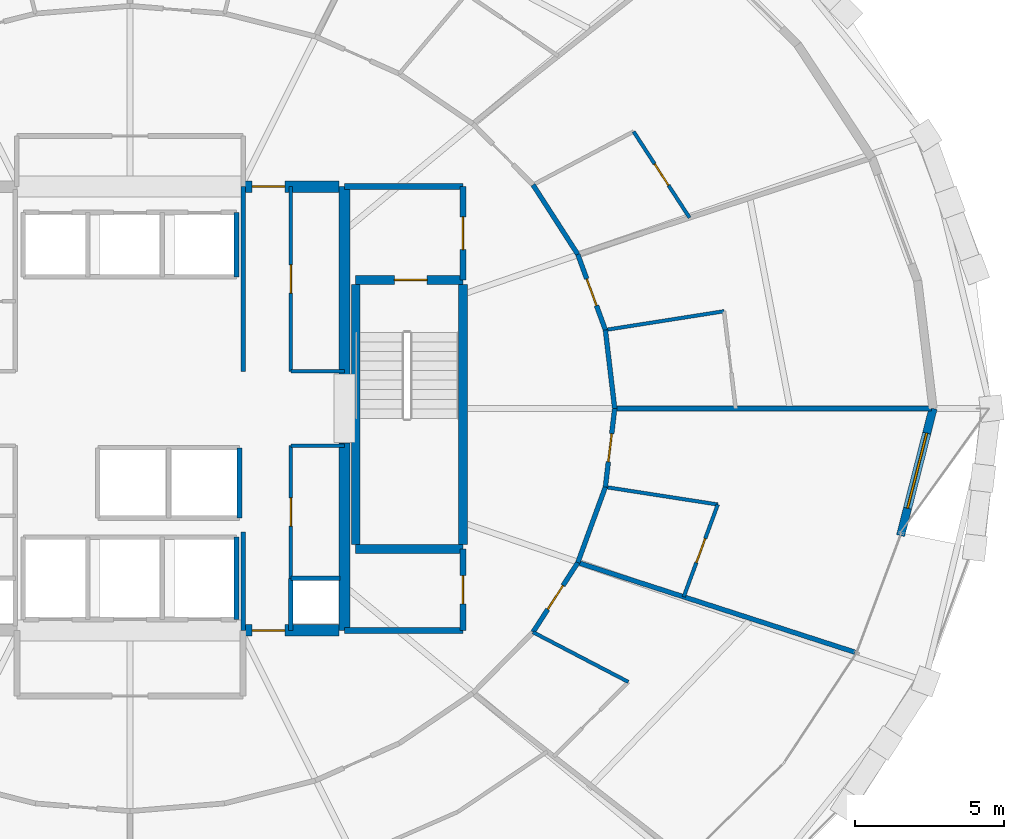
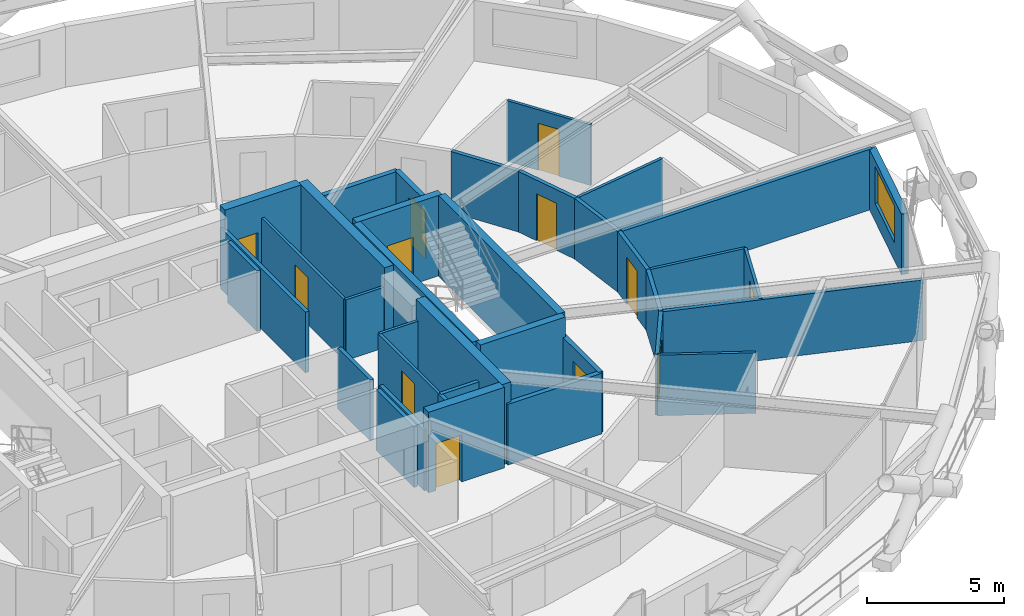
# One storey, part 16 of 21: 37 walls, 12 doors, 1 window, 13 openings.
"""IFC4 building model written with IfcOpenShell, lengths in metres."""

from ifc_helpers import new_model, si_unit, direction, frame, frame_2d, origin, place, context, subcontext, project, spatial, rectangle, extrude, material, layer, layer_set, type_object, element, fill, save


model = new_model("IFC4")

# Units and contexts
model_context = context("Model", 3, precision=1e-05, world=origin(), true_north=direction((0.0, 1.0)))
body_context = subcontext(model_context, "Body", "Model", "MODEL_VIEW")
ifc_project = project(units=[si_unit("LENGTHUNIT", "METRE"), si_unit("AREAUNIT", "SQUARE_METRE"), si_unit("VOLUMEUNIT", "CUBIC_METRE"), si_unit("PLANEANGLEUNIT", "RADIAN"), si_unit("MASSUNIT", "GRAM", prefix="KILO")], contexts=[model_context])

# Site, building, storey
site_placement = place(None, origin())
site = spatial("IfcSite", under=ifc_project, at=site_placement, CompositionType="ELEMENT")
building_placement = place(site_placement, origin())
building = spatial("IfcBuilding", under=site, at=building_placement, Name="Veldorina Hangang Commons", CompositionType="ELEMENT")
storey_placement = place(building_placement, frame((0.0, 0.0, 91.60009765625)))
storey = spatial("IfcBuildingStorey", under=building, at=storey_placement, Name="L23", CompositionType="ELEMENT", Elevation=91.60009765625)

# Walls
ifc_material_1 = material(Name="Concrete C70/85", Category="concrete")
ifc_layer_1 = layer(ifc_material_1, 0.3798828125)
ifc_layer_set_1 = layer_set([ifc_layer_1], Name="Concrete C70/85")
wall_type_1 = type_object("IfcWallType", Name="CW-RC380-C70", PredefinedType="SHEAR", material=ifc_layer_set_1)
for number, where, z_axis, x_axis, name in (
    (1, (39.199951171875, 16.550048828125, 0.0), (0.0, 0.0, 1.0), (0.0, 1.0, 0.0), "L23 E south core shear wall"),
    (2, (39.199951171875, 25.14990234375, 0.0), (0.0, 0.0, 1.0), (0.0, 1.0, 0.0), "L23 E north core shear wall"),
):
    element("IfcWall", number, at=place(storey_placement, frame(where, z_axis=z_axis, x_axis=x_axis)), inside=storey, type_object=wall_type_1, Name=name, PredefinedType="SHEAR", context=body_context, shape_type="SweptSolid", body=[
        extrude(rectangle(XDim=6.300048828125, YDim=0.3798828125, at=frame_2d((3.14990234375, 0.0))), origin(), (0.0, 0.0, 1.0), 3.599853515625),
    ])

# Wall, opening, door
wall_1_placement = place(storey_placement, frame((35.800048828125, 16.550048828125, 0.0), z_axis=(0.0, 0.0, 1.0), x_axis=(1.0, 0.0, 0.0)))
wall_1 = element("IfcWall", 3, at=wall_1_placement, inside=storey, type_object=wall_type_1, Name="L23 south-east core shear wall", PredefinedType="SHEAR", context=body_context, shape_type="SweptSolid", body=[
    extrude(rectangle(XDim=3.2099609375, YDim=0.3798828125, at=frame_2d((1.60498046875, 0.0))), origin(), (0.0, 0.0, 1.0), 3.599853515625),
])
opening_1_placement = place(wall_1_placement, frame((0.300048828125, 0.0, 0.0)))
opening_1 = element("IfcOpeningElement", 4, at=opening_1_placement, cuts=wall_1, Name="Opening D-08", PredefinedType="OPENING", context=body_context, shape_type="SweptSolid", body=[
    extrude(rectangle(XDim=1.10009765625, YDim=2.10009765625, at=frame_2d((0.550048828125, 1.050048828125))), frame((0.0, 0.199951171875, 0.0), z_axis=(0.0, -1.0, 0.0), x_axis=(1.0, 0.0, 0.0)), (0.0, 0.0, 1.0), 0.39990234375),
])
ifc_material_2 = material(Name="Steel Fire-Rated Smoke Seal", Category="steel")
door_type_1 = type_object("IfcDoorType", Name="DR-FIRE-1100", OperationType="SINGLE_SWING_RIGHT", PredefinedType="DOOR", material=ifc_material_2)
door_1_placement = place(opening_1_placement, origin())
door_1 = element("IfcDoor", 5, at=door_1_placement, inside=storey, type_object=door_type_1, Name="L23 central lift lobby south corridor door", OperationType="SINGLE_SWING_RIGHT", OverallHeight=2.10009765625, OverallWidth=1.10009765625, PredefinedType="DOOR", context=body_context, shape_type="SweptSolid", body=[
    extrude(rectangle(XDim=1.10009765625, YDim=2.10009765625, at=frame_2d((0.550048828125, 1.050048828125))), frame((0.0, 0.02490234375, 0.0), z_axis=(0.0, -1.0, 0.0), x_axis=(1.0, 0.0, 0.0)), (0.0, 0.0, 1.0), 0.050048828125),
])
fill(opening_1, door_1)

wall_2_placement = place(storey_placement, frame((35.800048828125, 31.449951171875, 0.0), z_axis=(0.0, 0.0, 1.0), x_axis=(1.0, 0.0, 0.0)))
wall_2 = element("IfcWall", 6, at=wall_2_placement, inside=storey, type_object=wall_type_1, Name="L23 north-east core shear wall", PredefinedType="SHEAR", context=body_context, shape_type="SweptSolid", body=[
    extrude(rectangle(XDim=3.2099609375, YDim=0.3798828125, at=frame_2d((1.60498046875, 0.0))), origin(), (0.0, 0.0, 1.0), 3.599853515625),
])
opening_2_placement = place(wall_2_placement, frame((0.300048828125, 0.0, 0.0)))
opening_2 = element("IfcOpeningElement", 7, at=opening_2_placement, cuts=wall_2, Name="Opening D-08", PredefinedType="OPENING", context=body_context, shape_type="SweptSolid", body=[
    extrude(rectangle(XDim=1.10009765625, YDim=2.10009765625, at=frame_2d((0.550048828125, 1.050048828125))), frame((0.0, 0.199951171875, 0.0), z_axis=(0.0, -1.0, 0.0), x_axis=(1.0, 0.0, 0.0)), (0.0, 0.0, 1.0), 0.39990234375),
])
door_2_placement = place(opening_2_placement, origin())
door_2 = element("IfcDoor", 8, at=door_2_placement, inside=storey, type_object=door_type_1, Name="L23 central lift lobby north corridor door", OperationType="SINGLE_SWING_LEFT", OverallHeight=2.10009765625, OverallWidth=1.10009765625, PredefinedType="DOOR", context=body_context, shape_type="SweptSolid", body=[
    extrude(rectangle(XDim=1.10009765625, YDim=2.10009765625, at=frame_2d((0.550048828125, 1.050048828125))), frame((0.0, 0.02490234375, 0.0), z_axis=(0.0, -1.0, 0.0), x_axis=(1.0, 0.0, 0.0)), (0.0, 0.0, 1.0), 0.050048828125),
])
fill(opening_2, door_2)

# Wall, opening, window
ifc_material_3 = material(Name="Stone Roman Travertine", Category="masonry")
ifc_layer_2 = layer(ifc_material_3, 0.280029296875)
ifc_layer_set_2 = layer_set([ifc_layer_2], Name="Stone Roman Travertine")
wall_type_2 = type_object("IfcWallType", Name="EW-TRAV-280", PredefinedType="STANDARD", material=ifc_layer_set_2)
wall_3_placement = place(storey_placement, frame((57.871337890625, 19.731201171875, 0.0), z_axis=(0.0, 0.0, 1.0), x_axis=(0.247421985174, 0.968907818759, 0.0)))
wall_3 = element("IfcWall", 9, at=wall_3_placement, inside=storey, type_object=wall_type_2, Name="L23 travertine facade wall 31", PredefinedType="STANDARD", context=body_context, shape_type="SweptSolid", body=[
    extrude(rectangle(XDim=4.40576171875, YDim=0.280029296875, at=frame_2d((2.202880859375, 0.0))), origin(), (0.0, 0.0, 1.0), 2.7099609375),
])
opening_3_placement = place(wall_3_placement, frame((0.948974609375, 0.0, 0.800048828125)))
opening_3 = element("IfcOpeningElement", 10, at=opening_3_placement, cuts=wall_3, Name="Opening W-02", PredefinedType="OPENING", context=body_context, shape_type="SweptSolid", body=[
    extrude(rectangle(XDim=2.60009765625, YDim=1.64990234375, at=frame_2d((1.300048828125, 0.824951171875))), frame((0.0, 0.14990234375, 0.0), z_axis=(0.0, -1.0, 0.0), x_axis=(1.0, 0.0, 0.0)), (0.0, 0.0, 1.0), 0.300048828125),
])
ifc_material_4 = material(Name="Glass Low-E Triple IGU", Category="glass")
window_type = type_object("IfcWindowType", Name="WIN-TWR-2600", PartitioningType="SINGLE_PANEL", PredefinedType="WINDOW", material=ifc_material_4)
window_placement = place(opening_3_placement, origin())
window = element("IfcWindow", 11, at=window_placement, inside=storey, type_object=window_type, Name="L23 facade window 31", OverallHeight=1.64990234375, OverallWidth=2.60009765625, PartitioningType="SINGLE_PANEL", PredefinedType="WINDOW", context=body_context, shape_type="SweptSolid", body=[
    extrude(rectangle(XDim=2.60009765625, YDim=1.64990234375, at=frame_2d((1.300048828125, 0.824951171875))), frame((0.0, 0.030029296875, 0.0), z_axis=(0.0, -1.0, 0.0), x_axis=(1.0, 0.0, 0.0)), (0.0, 0.0, 1.0), 0.06005859375),
])
fill(opening_3, window)

# Walls
ifc_material_5 = material(Name="Concrete C50/60", Category="concrete")
ifc_layer_3 = layer(ifc_material_5, 0.300048828125)
ifc_layer_set_3 = layer_set([ifc_layer_3], Name="Concrete C50/60")
wall_type_3 = type_object("IfcWallType", Name="SW-STAIR-300", PredefinedType="SHEAR", material=ifc_layer_set_3)
for number, where, z_axis, x_axis, name in (
    (12, (43.179931640625, 19.429931640625, 0.0), (0.0, 0.0, 1.0), (0.0, 1.0, 0.0), "L23 ST2 outer stair shear wall"),
    (13, (39.580078125, 19.429931640625, 0.0), (0.0, 0.0, 1.0), (0.0, 1.0, 0.0), "L23 ST2 inner stair shear wall"),
):
    element("IfcWall", number, at=place(storey_placement, frame(where, z_axis=z_axis, x_axis=x_axis)), inside=storey, type_object=wall_type_3, Name=name, PredefinedType="SHEAR", context=body_context, shape_type="SweptSolid", body=[
        extrude(rectangle(XDim=8.739990234375, YDim=0.300048828125, at=frame_2d((4.3701171875, 0.0))), origin(), (0.0, 0.0, 1.0), 3.599853515625),
    ])
wall_4_placement = place(storey_placement, frame((39.580078125, 19.280029296875, 0.0), z_axis=(0.0, 0.0, 1.0), x_axis=(1.0, 0.0, 0.0)))
element("IfcWall", 14, at=wall_4_placement, inside=storey, type_object=wall_type_3, Name="L23 ST2 south stair shear wall", PredefinedType="SHEAR", context=body_context, shape_type="SweptSolid", body=[
    extrude(rectangle(XDim=3.599853515625, YDim=0.300048828125, at=frame_2d((1.7998046875, 0.0))), origin(), (0.0, 0.0, 1.0), 3.599853515625),
])

# Wall, opening, door
wall_5_placement = place(storey_placement, frame((39.580078125, 28.320068359375, 0.0), z_axis=(0.0, 0.0, 1.0), x_axis=(1.0, 0.0, 0.0)))
wall_5 = element("IfcWall", 15, at=wall_5_placement, inside=storey, type_object=wall_type_3, Name="L23 ST2 north stair shear wall", PredefinedType="SHEAR", context=body_context, shape_type="SweptSolid", body=[
    extrude(rectangle(XDim=3.599853515625, YDim=0.300048828125, at=frame_2d((1.7998046875, 0.0))), origin(), (0.0, 0.0, 1.0), 3.599853515625),
])
opening_4_placement = place(wall_5_placement, frame((1.300048828125, 0.0, 0.0)))
opening_4 = element("IfcOpeningElement", 16, at=opening_4_placement, cuts=wall_5, Name="Opening D-08", PredefinedType="OPENING", context=body_context, shape_type="SweptSolid", body=[
    extrude(rectangle(XDim=1.10009765625, YDim=2.10009765625, at=frame_2d((0.550048828125, 1.050048828125))), frame((0.0, 0.16015625, 0.0), z_axis=(0.0, -1.0, 0.0), x_axis=(1.0, 0.0, 0.0)), (0.0, 0.0, 1.0), 0.320068359375),
])
door_3_placement = place(opening_4_placement, origin())
door_3 = element("IfcDoor", 17, at=door_3_placement, inside=storey, type_object=door_type_1, Name="L23 Special Escape Stair ST-2 door", OperationType="SINGLE_SWING_RIGHT", OverallHeight=2.10009765625, OverallWidth=1.10009765625, PredefinedType="DOOR", context=body_context, shape_type="SweptSolid", body=[
    extrude(rectangle(XDim=1.10009765625, YDim=2.10009765625, at=frame_2d((0.550048828125, 1.050048828125))), frame((0.0, 0.02490234375, 0.0), z_axis=(0.0, -1.0, 0.0), x_axis=(1.0, 0.0, 0.0)), (0.0, 0.0, 1.0), 0.050048828125),
])
fill(opening_4, door_3)

# Walls
ifc_material_6 = material(Name="Gypsum Fire-Rated Twin Stud Wall", Category="gypsum")
ifc_layer_4 = layer(ifc_material_6, 0.159912109375)
ifc_layer_set_4 = layer_set([ifc_layer_4], Name="Gypsum Fire-Rated Twin Stud Wall")
wall_type_4 = type_object("IfcWallType", Name="WL-FIRE-160", PredefinedType="SOLIDWALL", material=ifc_layer_set_4)
wall_6_placement = place(storey_placement, frame((35.800048828125, 16.550048828125, 0.0), z_axis=(0.0, 0.0, 1.0), x_axis=(0.0, 1.0, 0.0)))
element("IfcWall", 18, at=wall_6_placement, inside=storey, type_object=wall_type_4, Name="L23 Lift passage SW wall 009", PredefinedType="SOLIDWALL", context=body_context, shape_type="SweptSolid", body=[
    extrude(rectangle(XDim=3.300048828125, YDim=0.159912109375, at=frame_2d((1.64990234375, 0.0))), origin(), (0.0, 0.0, 1.0), 2.7099609375),
])
wall_7_placement = place(storey_placement, frame((37.39990234375, 16.550048828125, 0.0), z_axis=(0.0, 0.0, 1.0), x_axis=(0.0, 1.0, 0.0)))
element("IfcWall", 19, at=wall_7_placement, inside=storey, type_object=wall_type_4, Name="L23 Lift passage SE stub 010", PredefinedType="SOLIDWALL", context=body_context, shape_type="SweptSolid", body=[
    extrude(rectangle(XDim=1.75, YDim=0.159912109375, at=frame_2d((0.875, 0.0))), origin(), (0.0, 0.0, 1.0), 2.7099609375),
])
wall_8_placement = place(storey_placement, frame((35.800048828125, 25.25, 0.0), z_axis=(0.0, 0.0, 1.0), x_axis=(0.0, 1.0, 0.0)))
element("IfcWall", 20, at=wall_8_placement, inside=storey, type_object=wall_type_4, Name="L23 Lift passage NW wall 011", PredefinedType="SOLIDWALL", context=body_context, shape_type="SweptSolid", body=[
    extrude(rectangle(XDim=6.199951171875, YDim=0.159912109375, at=frame_2d((3.10009765625, 0.0))), origin(), (0.0, 0.0, 1.0), 2.7099609375),
])
wall_9_placement = place(storey_placement, frame((35.580078125, 28.419921875, 0.0), z_axis=(0.0, 0.0, 1.0), x_axis=(0.0, 1.0, 0.0)))
element("IfcWall", 21, at=wall_9_placement, inside=storey, type_object=wall_type_4, Name="L23 PL-L3 east shaft wall 020", PredefinedType="SOLIDWALL", context=body_context, shape_type="SweptSolid", body=[
    extrude(rectangle(XDim=2.16015625, YDim=0.159912109375, at=frame_2d((1.080078125, 0.0))), origin(), (0.0, 0.0, 1.0), 2.7099609375),
])
wall_10_placement = place(storey_placement, frame((35.679931640625, 20.320068359375, 0.0), z_axis=(0.0, 0.0, 1.0), x_axis=(0.0, 1.0, 0.0)))
element("IfcWall", 22, at=wall_10_placement, inside=storey, type_object=wall_type_4, Name="L23 SL-2 east shaft wall 025", PredefinedType="SOLIDWALL", context=body_context, shape_type="SweptSolid", body=[
    extrude(rectangle(XDim=2.35986328125, YDim=0.159912109375, at=frame_2d((1.179931640625, 0.0))), origin(), (0.0, 0.0, 1.0), 2.7099609375),
])
wall_11_placement = place(storey_placement, frame((35.580078125, 16.919921875, 0.0), z_axis=(0.0, 0.0, 1.0), x_axis=(0.0, 1.0, 0.0)))
element("IfcWall", 23, at=wall_11_placement, inside=storey, type_object=wall_type_4, Name="L23 EVL-1 east shaft wall 031", PredefinedType="SOLIDWALL", context=body_context, shape_type="SweptSolid", body=[
    extrude(rectangle(XDim=2.760009765625, YDim=0.159912109375, at=frame_2d((1.3798828125, 0.0))), origin(), (0.0, 0.0, 1.0), 2.7099609375),
])
wall_12_placement = place(storey_placement, frame((37.39990234375, 18.300048828125, 0.0), z_axis=(0.0, 0.0, 1.0), x_axis=(1.0, 0.0, 0.0)))
element("IfcWall", 24, at=wall_12_placement, inside=storey, type_object=wall_type_4, Name="L23 Plumbing riser wall 037", PredefinedType="SOLIDWALL", context=body_context, shape_type="SweptSolid", body=[
    extrude(rectangle(XDim=1.650146484375, YDim=0.159912109375, at=frame_2d((0.8251953125, 0.0))), origin(), (0.0, 0.0, 1.0), 2.7099609375),
])
wall_13_placement = place(storey_placement, frame((48.27392578125, 24.0, 0.0), z_axis=(0.0, 0.0, 1.0), x_axis=(-0.117763961213, 0.99304161516, 0.0)))
element("IfcWall", 25, at=wall_13_placement, inside=storey, type_object=wall_type_4, Name="L23 Corridor outer wall 00 048", PredefinedType="SOLIDWALL", context=body_context, shape_type="SweptSolid", body=[
    extrude(rectangle(XDim=2.65576171875, YDim=0.159912109375, at=frame_2d((1.327880859375, 0.0))), origin(), (0.0, 0.0, 1.0), 2.7099609375),
])

# Wall, opening, door
wall_14_placement = place(storey_placement, frame((47.961181640625, 26.63720703125, 0.0), z_axis=(0.0, 0.0, 1.0), x_axis=(-0.343013437329, 0.939330496583, 0.0)))
wall_14 = element("IfcWall", 26, at=wall_14_placement, inside=storey, type_object=wall_type_4, Name="L23 Corridor outer wall 01 049", PredefinedType="SOLIDWALL", context=body_context, shape_type="SweptSolid", body=[
    extrude(rectangle(XDim=2.69970703125, YDim=0.159912109375, at=frame_2d((1.349853515625, 0.0))), origin(), (0.0, 0.0, 1.0), 2.7099609375),
])
opening_5_placement = place(wall_14_placement, frame((0.875, 0.0, 0.0)))
opening_5 = element("IfcOpeningElement", 27, at=opening_5_placement, cuts=wall_14, Name="Opening D-03", PredefinedType="OPENING", context=body_context, shape_type="SweptSolid", body=[
    extrude(rectangle(XDim=0.949951171875, YDim=2.10009765625, at=frame_2d((0.47509765625, 1.050048828125))), frame((0.0, 0.08984375, 0.0), z_axis=(0.0, -1.0, 0.0), x_axis=(1.0, 0.0, 0.0)), (0.0, 0.0, 1.0), 0.179931640625),
])
ifc_material_7 = material(Name="Timber Fire-Rated Entrance Core", Category="wood")
door_type_2 = type_object("IfcDoorType", Name="DR-UNIT-950", OperationType="SINGLE_SWING_RIGHT", PredefinedType="DOOR", material=ifc_material_7)
door_4_placement = place(opening_5_placement, origin())
door_4 = element("IfcDoor", 28, at=door_4_placement, inside=storey, type_object=door_type_2, Name="L23 Studio 4 entrance door 027", OperationType="SINGLE_SWING_LEFT", OverallHeight=2.10009765625, OverallWidth=0.949951171875, PredefinedType="DOOR", context=body_context, shape_type="SweptSolid", body=[
    extrude(rectangle(XDim=0.949951171875, YDim=2.10009765625, at=frame_2d((0.47509765625, 1.050048828125))), frame((0.0, 0.02490234375, 0.0), z_axis=(0.0, -1.0, 0.0), x_axis=(1.0, 0.0, 0.0)), (0.0, 0.0, 1.0), 0.050048828125),
])
fill(opening_5, door_4)

# Wall
wall_15_placement = place(storey_placement, frame((47.03515625, 29.173095703125, 0.0), z_axis=(0.0, 0.0, 1.0), x_axis=(-0.541126045017, 0.840941498206, 0.0)))
element("IfcWall", 29, at=wall_15_placement, inside=storey, type_object=wall_type_4, Name="L23 Corridor outer wall 02 050", PredefinedType="SOLIDWALL", context=body_context, shape_type="SweptSolid", body=[
    extrude(rectangle(XDim=2.779296875, YDim=0.159912109375, at=frame_2d((1.3896484375, 0.0))), origin(), (0.0, 0.0, 1.0), 2.7099609375),
])

# Wall, opening, door
wall_16_placement = place(storey_placement, frame((45.53125, 16.48974609375, 0.0), z_axis=(0.0, 0.0, 1.0), x_axis=(0.541126045017, 0.840941498206, 0.0)))
wall_16 = element("IfcWall", 30, at=wall_16_placement, inside=storey, type_object=wall_type_4, Name="L23 Corridor outer wall 29 077", PredefinedType="SOLIDWALL", context=body_context, shape_type="SweptSolid", body=[
    extrude(rectangle(XDim=2.779296875, YDim=0.159912109375, at=frame_2d((1.3896484375, 0.0))), origin(), (0.0, 0.0, 1.0), 2.7099609375),
])
opening_6_placement = place(wall_16_placement, frame((0.91455078125, 0.0, 0.0)))
opening_6 = element("IfcOpeningElement", 31, at=opening_6_placement, cuts=wall_16, Name="Opening D-03", PredefinedType="OPENING", context=body_context, shape_type="SweptSolid", body=[
    extrude(rectangle(XDim=0.949951171875, YDim=2.10009765625, at=frame_2d((0.47509765625, 1.050048828125))), frame((0.0, 0.08984375, 0.0), z_axis=(0.0, -1.0, 0.0), x_axis=(1.0, 0.0, 0.0)), (0.0, 0.0, 1.0), 0.179931640625),
])
door_5_placement = place(opening_6_placement, origin())
door_5 = element("IfcDoor", 32, at=door_5_placement, inside=storey, type_object=door_type_2, Name="L23 Studio 2 entrance door 023", OperationType="SINGLE_SWING_LEFT", OverallHeight=2.10009765625, OverallWidth=0.949951171875, PredefinedType="DOOR", context=body_context, shape_type="SweptSolid", body=[
    extrude(rectangle(XDim=0.949951171875, YDim=2.10009765625, at=frame_2d((0.47509765625, 1.050048828125))), frame((0.0, 0.02490234375, 0.0), z_axis=(0.0, -1.0, 0.0), x_axis=(1.0, 0.0, 0.0)), (0.0, 0.0, 1.0), 0.050048828125),
])
fill(opening_6, door_5)

# Wall
wall_17_placement = place(storey_placement, frame((47.03515625, 18.826904296875, 0.0), z_axis=(0.0, 0.0, 1.0), x_axis=(0.343013437329, 0.939330496583, 0.0)))
element("IfcWall", 33, at=wall_17_placement, inside=storey, type_object=wall_type_4, Name="L23 Corridor outer wall 30 078", PredefinedType="SOLIDWALL", context=body_context, shape_type="SweptSolid", body=[
    extrude(rectangle(XDim=2.69970703125, YDim=0.159912109375, at=frame_2d((1.349853515625, 0.0))), origin(), (0.0, 0.0, 1.0), 2.7099609375),
])

# Wall, opening, door
wall_18_placement = place(storey_placement, frame((47.961181640625, 21.36279296875, 0.0), z_axis=(0.0, 0.0, 1.0), x_axis=(0.117763961213, 0.99304161516, 0.0)))
wall_18 = element("IfcWall", 34, at=wall_18_placement, inside=storey, type_object=wall_type_4, Name="L23 Corridor outer wall 31 079", PredefinedType="SOLIDWALL", context=body_context, shape_type="SweptSolid", body=[
    extrude(rectangle(XDim=2.65576171875, YDim=0.159912109375, at=frame_2d((1.327880859375, 0.0))), origin(), (0.0, 0.0, 1.0), 2.7099609375),
])
opening_7_placement = place(wall_18_placement, frame((0.852783203125, 0.0, 0.0)))
opening_7 = element("IfcOpeningElement", 35, at=opening_7_placement, cuts=wall_18, Name="Opening D-03", PredefinedType="OPENING", context=body_context, shape_type="SweptSolid", body=[
    extrude(rectangle(XDim=0.949951171875, YDim=2.10009765625, at=frame_2d((0.47509765625, 1.050048828125))), frame((0.0, 0.08984375, 0.0), z_axis=(0.0, -1.0, 0.0), x_axis=(1.0, 0.0, 0.0)), (0.0, 0.0, 1.0), 0.179931640625),
])
door_6_placement = place(opening_7_placement, origin())
door_6 = element("IfcDoor", 36, at=door_6_placement, inside=storey, type_object=door_type_2, Name="L23 Studio 3 entrance door 025", OperationType="SINGLE_SWING_LEFT", OverallHeight=2.10009765625, OverallWidth=0.949951171875, PredefinedType="DOOR", context=body_context, shape_type="SweptSolid", body=[
    extrude(rectangle(XDim=0.949951171875, YDim=2.10009765625, at=frame_2d((0.47509765625, 1.050048828125))), frame((0.0, 0.02490234375, 0.0), z_axis=(0.0, -1.0, 0.0), x_axis=(1.0, 0.0, 0.0)), (0.0, 0.0, 1.0), 0.050048828125),
])
fill(opening_7, door_6)

# Walls
wall_19_placement = place(storey_placement, frame((47.03515625, 18.826904296875, 0.0), z_axis=(0.0, 0.0, 1.0), x_axis=(0.951482342418, -0.307703350757, 0.0)))
element("IfcWall", 37, at=wall_19_placement, inside=storey, type_object=wall_type_4, Name="L23 Unit party wall 30 088", PredefinedType="SOLIDWALL", context=body_context, shape_type="SweptSolid", body=[
    extrude(rectangle(XDim=9.78369140625, YDim=0.159912109375, at=frame_2d((4.891845703125, 0.0))), origin(), (0.0, 0.0, 1.0), 2.7099609375),
])
wall_20_placement = place(storey_placement, frame((48.27392578125, 24.0, 0.0), z_axis=(0.0, 0.0, 1.0), x_axis=(1.0, 0.0, 0.0)))
element("IfcWall", 38, at=wall_20_placement, inside=storey, type_object=wall_type_4, Name="L23 Unit party wall 00 091", PredefinedType="SOLIDWALL", context=body_context, shape_type="SweptSolid", body=[
    extrude(rectangle(XDim=10.6376953125, YDim=0.159912109375, at=frame_2d((5.31884765625, 0.0))), origin(), (0.0, 0.0, 1.0), 2.7099609375),
])

# Wall, opening, door
ifc_material_8 = material(Name="Concrete Blockwork Fire Wall C30/37", Category="masonry")
ifc_layer_5 = layer(ifc_material_8, 0.199951171875)
ifc_layer_set_5 = layer_set([ifc_layer_5], Name="Concrete Blockwork Fire Wall C30/37")
wall_type_5 = type_object("IfcWallType", Name="WL-FIRE-200", PredefinedType="SOLIDWALL", material=ifc_layer_set_5)
wall_21_placement = place(storey_placement, frame((43.179931640625, 28.320068359375, 0.0), z_axis=(0.0, 0.0, 1.0), x_axis=(0.0, 1.0, 0.0)))
wall_21 = element("IfcWall", 39, at=wall_21_placement, inside=storey, type_object=wall_type_5, Name="L23 East vestibule outer wall 003", PredefinedType="SOLIDWALL", context=body_context, shape_type="SweptSolid", body=[
    extrude(rectangle(XDim=3.1298828125, YDim=0.199951171875, at=frame_2d((1.56494140625, 0.0))), origin(), (0.0, 0.0, 1.0), 2.7099609375),
])
opening_8_placement = place(wall_21_placement, frame((1.014892578125, 0.0, 0.0)))
opening_8 = element("IfcOpeningElement", 40, at=opening_8_placement, cuts=wall_21, Name="Opening D-08", PredefinedType="OPENING", context=body_context, shape_type="SweptSolid", body=[
    extrude(rectangle(XDim=1.10009765625, YDim=2.10009765625, at=frame_2d((0.550048828125, 1.050048828125))), frame((0.0, 0.10986328125, 0.0), z_axis=(0.0, -1.0, 0.0), x_axis=(1.0, 0.0, 0.0)), (0.0, 0.0, 1.0), 0.219970703125),
])
door_7_placement = place(opening_8_placement, origin())
door_7 = element("IfcDoor", 41, at=door_7_placement, inside=storey, type_object=door_type_1, Name="L23 East vestibule east door 002", OperationType="SINGLE_SWING_RIGHT", OverallHeight=2.10009765625, OverallWidth=1.10009765625, PredefinedType="DOOR", context=body_context, shape_type="SweptSolid", body=[
    extrude(rectangle(XDim=1.10009765625, YDim=2.10009765625, at=frame_2d((0.550048828125, 1.050048828125))), frame((0.0, 0.02490234375, 0.0), z_axis=(0.0, -1.0, 0.0), x_axis=(1.0, 0.0, 0.0)), (0.0, 0.0, 1.0), 0.050048828125),
])
fill(opening_8, door_7)

# Wall
wall_22_placement = place(storey_placement, frame((39.199951171875, 31.449951171875, 0.0), z_axis=(0.0, 0.0, 1.0), x_axis=(1.0, 0.0, 0.0)))
element("IfcWall", 42, at=wall_22_placement, inside=storey, type_object=wall_type_5, Name="L23 East vestibule north wall 004", PredefinedType="SOLIDWALL", context=body_context, shape_type="SweptSolid", body=[
    extrude(rectangle(XDim=3.97998046875, YDim=0.199951171875, at=frame_2d((1.989990234375, 0.0))), origin(), (0.0, 0.0, 1.0), 2.7099609375),
])

# Wall, opening, door
wall_23_placement = place(storey_placement, frame((43.179931640625, 16.550048828125, 0.0), z_axis=(0.0, 0.0, 1.0), x_axis=(0.0, 1.0, 0.0)))
wall_23 = element("IfcWall", 43, at=wall_23_placement, inside=storey, type_object=wall_type_5, Name="L23 SE core room outer wall 007", PredefinedType="SOLIDWALL", context=body_context, shape_type="SweptSolid", body=[
    extrude(rectangle(XDim=2.72998046875, YDim=0.199951171875, at=frame_2d((1.364990234375, 0.0))), origin(), (0.0, 0.0, 1.0), 2.7099609375),
])
opening_9_placement = place(wall_23_placement, frame((0.889892578125, 0.0, 0.0)))
opening_9 = element("IfcOpeningElement", 44, at=opening_9_placement, cuts=wall_23, Name="Opening D-02", PredefinedType="OPENING", context=body_context, shape_type="SweptSolid", body=[
    extrude(rectangle(XDim=0.949951171875, YDim=2.10009765625, at=frame_2d((0.47509765625, 1.050048828125))), frame((0.0, 0.10986328125, 0.0), z_axis=(0.0, -1.0, 0.0), x_axis=(1.0, 0.0, 0.0)), (0.0, 0.0, 1.0), 0.219970703125),
])
ifc_material_9 = material(Name="Timber Solid Core Acoustic", Category="wood")
door_type_3 = type_object("IfcDoorType", Name="DR-INT-950", OperationType="SINGLE_SWING_LEFT", PredefinedType="DOOR", material=ifc_material_9)
door_8_placement = place(opening_9_placement, origin())
door_8 = element("IfcDoor", 45, at=door_8_placement, inside=storey, type_object=door_type_3, Name="L23 SE core WC door 004", OperationType="SINGLE_SWING_RIGHT", OverallHeight=2.10009765625, OverallWidth=0.949951171875, PredefinedType="DOOR", context=body_context, shape_type="SweptSolid", body=[
    extrude(rectangle(XDim=0.949951171875, YDim=2.10009765625, at=frame_2d((0.47509765625, 1.050048828125))), frame((0.0, 0.02490234375, 0.0), z_axis=(0.0, -1.0, 0.0), x_axis=(1.0, 0.0, 0.0)), (0.0, 0.0, 1.0), 0.050048828125),
])
fill(opening_9, door_8)

# Wall
wall_24_placement = place(storey_placement, frame((39.199951171875, 16.550048828125, 0.0), z_axis=(0.0, 0.0, 1.0), x_axis=(1.0, 0.0, 0.0)))
element("IfcWall", 46, at=wall_24_placement, inside=storey, type_object=wall_type_5, Name="L23 SE core room south wall 008", PredefinedType="SOLIDWALL", context=body_context, shape_type="SweptSolid", body=[
    extrude(rectangle(XDim=3.97998046875, YDim=0.199951171875, at=frame_2d((1.989990234375, 0.0))), origin(), (0.0, 0.0, 1.0), 2.7099609375),
])

# Wall, opening, door
ifc_material_10 = material(Name="Gypsum Acoustic Stud Partition", Category="gypsum")
ifc_layer_6 = layer(ifc_material_10, 0.1201171875)
ifc_layer_set_6 = layer_set([ifc_layer_6], Name="Gypsum Acoustic Stud Partition")
wall_type_6 = type_object("IfcWallType", Name="WL-PART-120", PredefinedType="PARTITIONING", material=ifc_layer_set_6)
wall_25_placement = place(storey_placement, frame((37.39990234375, 25.25, 0.0), z_axis=(0.0, 0.0, 1.0), x_axis=(0.0, 1.0, 0.0)))
wall_25 = element("IfcWall", 47, at=wall_25_placement, inside=storey, type_object=wall_type_6, Name="L23 NE strip lobby wall 041", PredefinedType="PARTITIONING", context=body_context, shape_type="SweptSolid", body=[
    extrude(rectangle(XDim=6.199951171875, YDim=0.1201171875, at=frame_2d((3.10009765625, 0.0))), origin(), (0.0, 0.0, 1.0), 2.7099609375),
])
opening_10_placement = place(wall_25_placement, frame((2.625, 0.0, 0.0)))
opening_10 = element("IfcOpeningElement", 48, at=opening_10_placement, cuts=wall_25, Name="Opening D-02", PredefinedType="OPENING", context=body_context, shape_type="SweptSolid", body=[
    extrude(rectangle(XDim=0.949951171875, YDim=2.10009765625, at=frame_2d((0.47509765625, 1.050048828125))), frame((0.0, 0.070068359375, 0.0), z_axis=(0.0, -1.0, 0.0), x_axis=(1.0, 0.0, 0.0)), (0.0, 0.0, 1.0), 0.14013671875),
])
door_9_placement = place(opening_10_placement, origin())
door_9 = element("IfcDoor", 49, at=door_9_placement, inside=storey, type_object=door_type_3, Name="L23 Switchboard door 018", OperationType="SINGLE_SWING_RIGHT", OverallHeight=2.10009765625, OverallWidth=0.949951171875, PredefinedType="DOOR", context=body_context, shape_type="SweptSolid", body=[
    extrude(rectangle(XDim=0.949951171875, YDim=2.10009765625, at=frame_2d((0.47509765625, 1.050048828125))), frame((0.0, 0.02490234375, 0.0), z_axis=(0.0, -1.0, 0.0), x_axis=(1.0, 0.0, 0.0)), (0.0, 0.0, 1.0), 0.050048828125),
])
fill(opening_10, door_9)

# Wall
wall_26_placement = place(storey_placement, frame((37.39990234375, 25.25, 0.0), z_axis=(0.0, 0.0, 1.0), x_axis=(1.0, 0.0, 0.0)))
element("IfcWall", 50, at=wall_26_placement, inside=storey, type_object=wall_type_6, Name="L23 NE strip south return wall 042", PredefinedType="PARTITIONING", context=body_context, shape_type="SweptSolid", body=[
    extrude(rectangle(XDim=1.800048828125, YDim=0.1201171875, at=frame_2d((0.89990234375, 0.0))), origin(), (0.0, 0.0, 1.0), 2.7099609375),
])

# Wall, opening, door
wall_27_placement = place(storey_placement, frame((37.39990234375, 18.300048828125, 0.0), z_axis=(0.0, 0.0, 1.0), x_axis=(0.0, 1.0, 0.0)))
wall_27 = element("IfcWall", 51, at=wall_27_placement, inside=storey, type_object=wall_type_6, Name="L23 SE strip lobby wall 043", PredefinedType="PARTITIONING", context=body_context, shape_type="SweptSolid", body=[
    extrude(rectangle(XDim=4.449951171875, YDim=0.1201171875, at=frame_2d((2.22509765625, 0.0))), origin(), (0.0, 0.0, 1.0), 2.7099609375),
])
opening_11_placement = place(wall_27_placement, frame((1.75, 0.0, 0.0)))
opening_11 = element("IfcOpeningElement", 52, at=opening_11_placement, cuts=wall_27, Name="Opening D-02", PredefinedType="OPENING", context=body_context, shape_type="SweptSolid", body=[
    extrude(rectangle(XDim=0.949951171875, YDim=2.10009765625, at=frame_2d((0.47509765625, 1.050048828125))), frame((0.0, 0.070068359375, 0.0), z_axis=(0.0, -1.0, 0.0), x_axis=(1.0, 0.0, 0.0)), (0.0, 0.0, 1.0), 0.14013671875),
])
door_10_placement = place(opening_11_placement, origin())
door_10 = element("IfcDoor", 53, at=door_10_placement, inside=storey, type_object=door_type_3, Name="L23 Telemetry door 019", OperationType="SINGLE_SWING_LEFT", OverallHeight=2.10009765625, OverallWidth=0.949951171875, PredefinedType="DOOR", context=body_context, shape_type="SweptSolid", body=[
    extrude(rectangle(XDim=0.949951171875, YDim=2.10009765625, at=frame_2d((0.47509765625, 1.050048828125))), frame((0.0, 0.02490234375, 0.0), z_axis=(0.0, -1.0, 0.0), x_axis=(1.0, 0.0, 0.0)), (0.0, 0.0, 1.0), 0.050048828125),
])
fill(opening_11, door_10)

# Walls
wall_28_placement = place(storey_placement, frame((37.39990234375, 22.75, 0.0), z_axis=(0.0, 0.0, 1.0), x_axis=(1.0, 0.0, 0.0)))
element("IfcWall", 54, at=wall_28_placement, inside=storey, type_object=wall_type_6, Name="L23 SE strip north return wall 044", PredefinedType="PARTITIONING", context=body_context, shape_type="SweptSolid", body=[
    extrude(rectangle(XDim=1.800048828125, YDim=0.1201171875, at=frame_2d((0.89990234375, 0.0))), origin(), (0.0, 0.0, 1.0), 2.7099609375),
])
wall_29_placement = place(storey_placement, frame((45.53125, 16.48974609375, 0.0), z_axis=(0.0, 0.0, 1.0), x_axis=(0.886624645958, -0.462489715756, 0.0)))
element("IfcWall", 55, at=wall_29_placement, inside=storey, type_object=wall_type_6, Name="L23 Studio 2 bath side wall 087", PredefinedType="PARTITIONING", context=body_context, shape_type="SweptSolid", body=[
    extrude(rectangle(XDim=3.609130859375, YDim=0.1201171875, at=frame_2d((1.8046875, 0.0))), origin(), (0.0, 0.0, 1.0), 2.7099609375),
])

# Wall, opening, door
wall_30_placement = place(storey_placement, frame((50.5908203125, 17.677001953125, 0.0), z_axis=(0.0, 0.0, 1.0), x_axis=(0.346520124716, 0.938042538037, 0.0)))
wall_30 = element("IfcWall", 56, at=wall_30_placement, inside=storey, type_object=wall_type_6, Name="L23 Studio 3 bath front wall 089", PredefinedType="PARTITIONING", context=body_context, shape_type="SweptSolid", body=[
    extrude(rectangle(XDim=3.304443359375, YDim=0.1201171875, at=frame_2d((1.65234375, 0.0))), origin(), (0.0, 0.0, 1.0), 2.7099609375),
])
opening_12_placement = place(wall_30_placement, frame((1.22216796875, 0.0, 0.0)))
opening_12 = element("IfcOpeningElement", 57, at=opening_12_placement, cuts=wall_30, Name="Opening D-01", PredefinedType="OPENING", context=body_context, shape_type="SweptSolid", body=[
    extrude(rectangle(XDim=0.860107421875, YDim=2.10009765625, at=frame_2d((0.43017578125, 1.050048828125))), frame((0.0, 0.070068359375, 0.0), z_axis=(0.0, -1.0, 0.0), x_axis=(1.0, 0.0, 0.0)), (0.0, 0.0, 1.0), 0.14013671875),
])
ifc_material_11 = material(Name="Timber Moisture-Resistant Core", Category="wood")
door_type_4 = type_object("IfcDoorType", Name="DR-WET-860", OperationType="SINGLE_SWING_LEFT", PredefinedType="DOOR", material=ifc_material_11)
door_11_placement = place(opening_12_placement, origin())
door_11 = element("IfcDoor", 58, at=door_11_placement, inside=storey, type_object=door_type_4, Name="L23 Studio 3 bathroom door 024", OperationType="SINGLE_SWING_RIGHT", OverallHeight=2.10009765625, OverallWidth=0.860107421875, PredefinedType="DOOR", context=body_context, shape_type="SweptSolid", body=[
    extrude(rectangle(XDim=0.860107421875, YDim=2.10009765625, at=frame_2d((0.43017578125, 1.050048828125))), frame((0.0, 0.02490234375, 0.0), z_axis=(0.0, -1.0, 0.0), x_axis=(1.0, 0.0, 0.0)), (0.0, 0.0, 1.0), 0.050048828125),
])
fill(opening_12, door_11)

# Walls
wall_31_placement = place(storey_placement, frame((47.961181640625, 21.36279296875, 0.0), z_axis=(0.0, 0.0, 1.0), x_axis=(0.988155696558, -0.153454616612, 0.0)))
element("IfcWall", 59, at=wall_31_placement, inside=storey, type_object=wall_type_6, Name="L23 Studio 3 bath side wall 090", PredefinedType="PARTITIONING", context=body_context, shape_type="SweptSolid", body=[
    extrude(rectangle(XDim=3.81982421875, YDim=0.1201171875, at=frame_2d((1.909912109375, 0.0))), origin(), (0.0, 0.0, 1.0), 2.7099609375),
])
wall_32_placement = place(storey_placement, frame((47.961181640625, 26.63720703125, 0.0), z_axis=(0.0, 0.0, 1.0), x_axis=(0.987811515009, 0.155654780895, 0.0)))
element("IfcWall", 60, at=wall_32_placement, inside=storey, type_object=wall_type_6, Name="L23 Studio 4 bath side wall 093", PredefinedType="PARTITIONING", context=body_context, shape_type="SweptSolid", body=[
    extrude(rectangle(XDim=4.032470703125, YDim=0.1201171875, at=frame_2d((2.01611328125, 0.0))), origin(), (0.0, 0.0, 1.0), 2.7099609375),
])

# Wall, opening, door
wall_33_placement = place(storey_placement, frame((50.787353515625, 30.404296875, 0.0), z_axis=(0.0, 0.0, 1.0), x_axis=(-0.544682368389, 0.838642425332, 0.0)))
wall_33 = element("IfcWall", 61, at=wall_33_placement, inside=storey, type_object=wall_type_6, Name="L23 Studio 5 bath front wall 095", PredefinedType="PARTITIONING", context=body_context, shape_type="SweptSolid", body=[
    extrude(rectangle(XDim=3.449951171875, YDim=0.1201171875, at=frame_2d((1.72509765625, 0.0))), origin(), (0.0, 0.0, 1.0), 2.7099609375),
])
opening_13_placement = place(wall_33_placement, frame((1.294921875, 0.0, 0.0)))
opening_13 = element("IfcOpeningElement", 62, at=opening_13_placement, cuts=wall_33, Name="Opening D-01", PredefinedType="OPENING", context=body_context, shape_type="SweptSolid", body=[
    extrude(rectangle(XDim=0.860107421875, YDim=2.10009765625, at=frame_2d((0.43017578125, 1.050048828125))), frame((0.0, 0.070068359375, 0.0), z_axis=(0.0, -1.0, 0.0), x_axis=(1.0, 0.0, 0.0)), (0.0, 0.0, 1.0), 0.14013671875),
])
door_12_placement = place(opening_13_placement, origin())
door_12 = element("IfcDoor", 63, at=door_12_placement, inside=storey, type_object=door_type_4, Name="L23 Studio 5 bathroom door 028", OperationType="SINGLE_SWING_RIGHT", OverallHeight=2.10009765625, OverallWidth=0.860107421875, PredefinedType="DOOR", context=body_context, shape_type="SweptSolid", body=[
    extrude(rectangle(XDim=0.860107421875, YDim=2.10009765625, at=frame_2d((0.43017578125, 1.050048828125))), frame((0.0, 0.02490234375, 0.0), z_axis=(0.0, -1.0, 0.0), x_axis=(1.0, 0.0, 0.0)), (0.0, 0.0, 1.0), 0.050048828125),
])
fill(opening_13, door_12)

save(model, "model.ifc")
